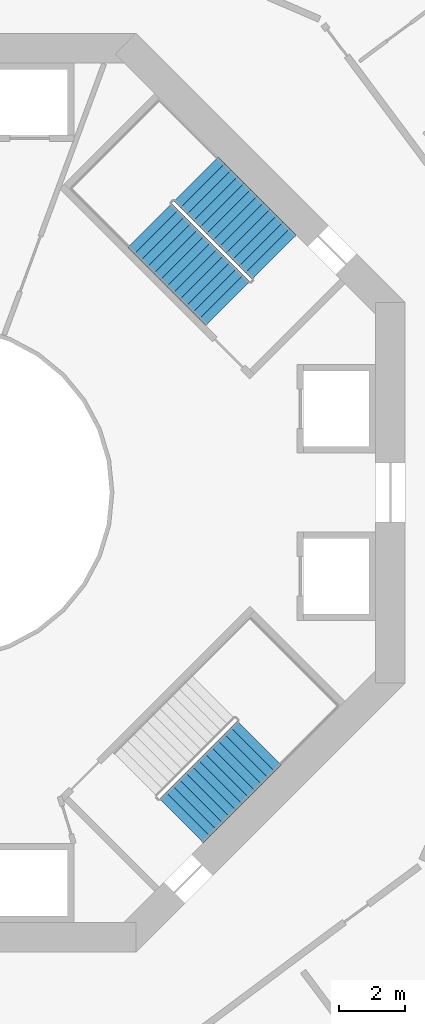
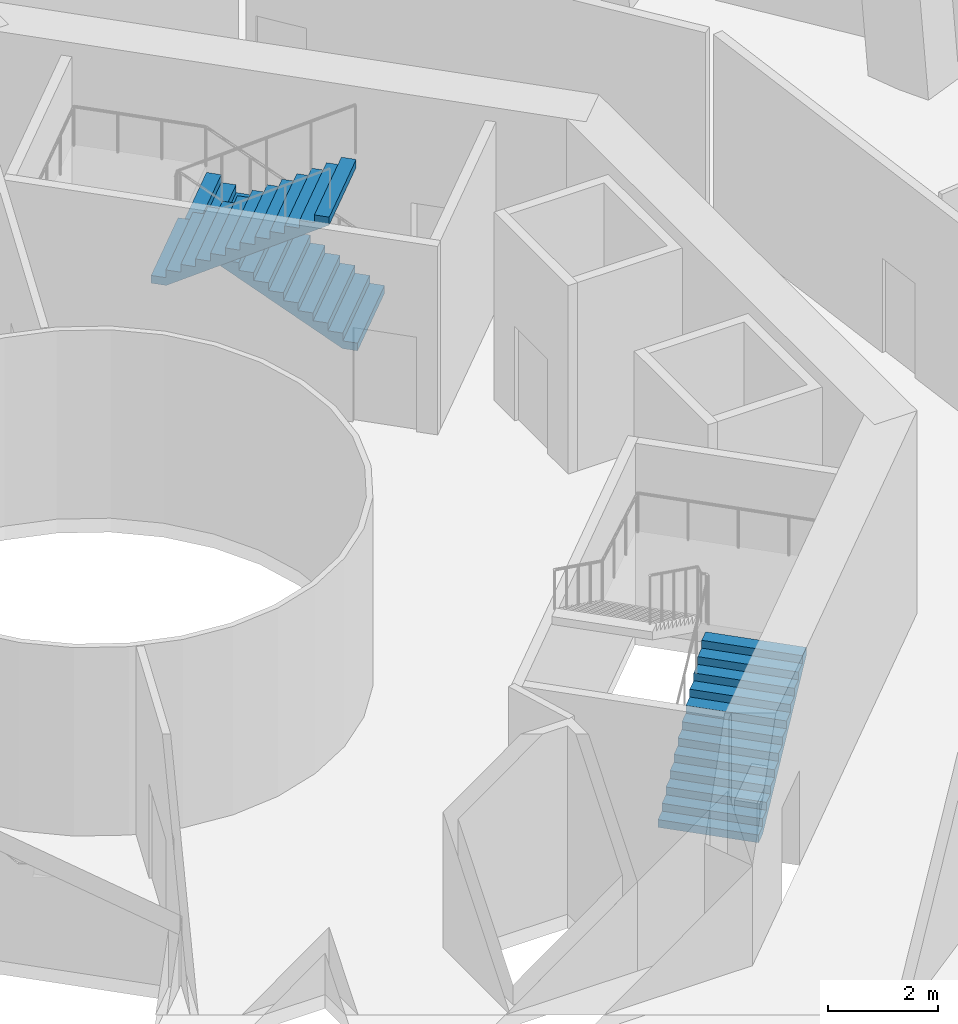
# One storey, part 16 of 17: 3 stair flights, 2 elements without a shape of their own.
"""IFC4 building model written with IfcOpenShell, lengths in metres."""

from ifc_helpers import new_model, si_unit, direction, frame, origin, place, context, subcontext, project, spatial, triangles, material, type_object, element, aggregate, save


model = new_model("IFC4")

# Units and contexts
model_context = context("Model", 3, precision=1e-05, world=origin(), true_north=direction((0.0, 1.0)))
body_context = subcontext(model_context, "Body", "Model", "MODEL_VIEW")
ifc_project = project(units=[si_unit("LENGTHUNIT", "METRE"), si_unit("AREAUNIT", "SQUARE_METRE"), si_unit("VOLUMEUNIT", "CUBIC_METRE"), si_unit("PLANEANGLEUNIT", "RADIAN"), si_unit("MASSUNIT", "GRAM", prefix="KILO")], contexts=[model_context])

# Site, building, storey
site_placement = place(None, origin())
site = spatial("IfcSite", under=ifc_project, at=site_placement, CompositionType="ELEMENT")
building_placement = place(site_placement, origin())
building = spatial("IfcBuilding", under=site, at=building_placement, Name="Verdalira Terraces Hotel", CompositionType="ELEMENT")
storey_placement = place(building_placement, frame((0.0, 0.0, 60.0)))
storey = spatial("IfcBuildingStorey", under=building, at=storey_placement, Name="L13", CompositionType="ELEMENT", Elevation=60.0)

# Stair, stair flights
ifc_material_1 = material(Name="Concrete C40", Category="concrete")
stair_type = type_object("IfcStairType", Name="Core stair 26 risers 1900 mm wide", PredefinedType="HALF_TURN_STAIR", material=ifc_material_1)
stair_1_placement = place(storey_placement, origin())
stair_1 = element("IfcStair", 1, at=stair_1_placement, inside=storey, type_object=stair_type, Name="L13 Exit stair ST1", PredefinedType="HALF_TURN_STAIR")
ifc_material_2 = material(Name="Concrete C40", Category="concrete")
stair_flight_type = type_object("IfcStairFlightType", Name="Core stair flight 26 risers 1900 mm wide", PredefinedType="STRAIGHT", material=ifc_material_2)
stair_flight_1_placement = place(storey_placement, frame((10.005615, 7.177246, 0.0), z_axis=(0.0, 0.0, 1.0), x_axis=(-0.707106781, 0.707106781, 0.0)))
stair_flight_1 = element("IfcStairFlight", 2, at=stair_flight_1_placement, type_object=stair_flight_type, Name="ST1 flight 1", NumberOfRisers=13, NumberOfTreads=12, PredefinedType="STRAIGHT", RiserHeight=0.173076923, TreadLength=0.28, context=body_context, shape_type="Tessellation", body=[
    triangles([(0.0, 0.949951, 0.0), (0.285156, 0.949951, 0.0), (3.360107, 0.949951, 1.900635), (0.0, -0.949951, 0.0), (0.285156, -0.949951, 0.0), (3.360107, -0.949951, 1.900635), (3.360107, 0.949951, 2.076904), (3.080078, 0.949951, 2.076904), (3.360107, -0.949951, 2.076904), (3.080078, -0.949951, 2.076904), (3.080078, 0.949951, 1.903809), (3.080078, -0.949951, 1.903809), (2.800049, 0.949951, 1.903809), (2.800049, -0.949951, 1.903809), (2.800049, 0.949951, 1.730713), (2.800049, -0.949951, 1.730713), (2.52002, 0.949951, 1.730713), (2.52002, 0.949951, 1.557617), (2.52002, -0.949951, 1.730713), (2.52002, -0.949951, 1.557617), (2.23999, 0.949951, 1.557617), (2.23999, 0.949951, 1.384521), (2.23999, -0.949951, 1.557617), (2.23999, -0.949951, 1.384521), (1.959961, 0.949951, 1.384521), (1.959961, 0.949951, 1.211426), (1.959961, -0.949951, 1.384521), (1.959961, -0.949951, 1.211426), (1.679932, 0.949951, 1.211426), (1.679932, 0.949951, 1.038574), (1.679932, -0.949951, 1.211426), (1.679932, -0.949951, 1.038574), (1.399902, 0.949951, 1.038574), (1.399902, 0.949951, 0.865479), (1.399902, -0.949951, 1.038574), (1.399902, -0.949951, 0.865479), (1.120117, 0.949951, 0.865479), (1.120117, 0.949951, 0.692383), (1.120117, -0.949951, 0.865479), (1.120117, -0.949951, 0.692383), (0.840088, 0.949951, 0.692383), (0.840088, 0.949951, 0.519287), (0.840088, -0.949951, 0.692383), (0.840088, -0.949951, 0.519287), (0.560059, 0.949951, 0.519287), (0.560059, 0.949951, 0.346191), (0.560059, -0.949951, 0.519287), (0.560059, -0.949951, 0.346191), (0.280029, 0.949951, 0.346191), (0.280029, 0.949951, 0.173096), (0.280029, -0.949951, 0.346191), (0.280029, -0.949951, 0.173096), (0.0, 0.949951, 0.173096), (0.0, -0.949951, 0.173096), (0.0, -0.890579, 0.0), (0.0, -0.890579, 0.173096), (0.0, -0.831207, 0.0), (0.0, -0.831207, 0.173096), (0.0, -0.771835, 0.0), (0.0, -0.771835, 0.173096), (0.0, -0.712463, 0.0), (0.0, -0.712463, 0.173096), (0.0, -0.653091, 0.0), (0.0, -0.653091, 0.173096), (0.0, -0.593719, 0.0), (0.0, -0.593719, 0.173096), (0.0, -0.534348, 0.0), (0.0, -0.534348, 0.173096), (0.0, -0.474976, 0.0), (0.0, -0.474976, 0.173096), (0.0, -0.415604, 0.0), (0.0, -0.415604, 0.173096), (0.0, -0.356232, 0.0), (0.0, -0.356232, 0.173096), (0.0, -0.29686, 0.0), (0.0, -0.29686, 0.173096), (0.0, -0.237488, 0.0), (0.0, -0.237488, 0.173096), (0.0, -0.178116, 0.0), (0.0, -0.178116, 0.173096), (0.0, -0.118744, 0.0), (0.0, -0.118744, 0.173096), (0.0, -0.059372, 0.0), (0.0, -0.059372, 0.173096), (0.0, 0.0, 0.0), (0.0, 0.0, 0.173096), (0.0, 0.059372, 0.0), (0.0, 0.059372, 0.173096), (0.0, 0.118744, 0.0), (0.0, 0.118744, 0.173096), (0.0, 0.178116, 0.0), (0.0, 0.178116, 0.173096), (0.0, 0.237488, 0.0), (0.0, 0.237488, 0.173096), (0.0, 0.29686, 0.0), (0.0, 0.29686, 0.173096), (0.0, 0.356232, 0.0), (0.0, 0.356232, 0.173096), (0.0, 0.415604, 0.0), (0.0, 0.415604, 0.173096), (0.0, 0.474976, 0.0), (0.0, 0.474976, 0.173096), (0.0, 0.534348, 0.0), (0.0, 0.534348, 0.173096), (0.0, 0.593719, 0.0), (0.0, 0.593719, 0.173096), (0.0, 0.653091, 0.0), (0.0, 0.653091, 0.173096), (0.0, 0.712463, 0.0), (0.0, 0.712463, 0.173096), (0.0, 0.771835, 0.0), (0.0, 0.771835, 0.173096), (0.0, 0.831207, 0.0), (0.0, 0.831207, 0.173096), (0.0, 0.890579, 0.0), (0.0, 0.890579, 0.173096), (3.360107, -0.890579, 2.076904), (3.360107, -0.831207, 2.076904), (3.360107, -0.771835, 2.076904), (3.360107, -0.712463, 2.076904), (3.360107, -0.653091, 2.076904), (3.360107, -0.593719, 2.076904), (3.360107, -0.534348, 2.076904), (3.360107, -0.474976, 2.076904), (3.360107, -0.415604, 2.076904), (3.360107, -0.356232, 2.076904), (3.360107, -0.29686, 2.076904), (3.360107, -0.237488, 2.076904), (3.360107, -0.178116, 2.076904), (3.360107, -0.118744, 2.076904), (3.360107, -0.059372, 2.076904), (3.360107, 0.0, 2.076904), (3.360107, 0.059372, 2.076904), (3.360107, 0.118744, 2.076904), (3.360107, 0.178116, 2.076904), (3.360107, 0.237488, 2.076904), (3.360107, 0.29686, 2.076904), (3.360107, 0.356232, 2.076904), (3.360107, 0.415604, 2.076904), (3.360107, 0.474976, 2.076904), (3.360107, 0.534348, 2.076904), (3.360107, 0.593719, 2.076904), (3.360107, 0.653091, 2.076904), (3.360107, 0.712463, 2.076904), (3.360107, 0.771835, 2.076904), (3.360107, 0.831207, 2.076904), (3.360107, 0.890579, 2.076904), (3.360107, -0.890579, 1.900635), (3.360107, -0.831207, 1.900635), (3.360107, -0.771835, 1.900635), (3.360107, -0.712463, 1.900635), (3.360107, -0.653091, 1.900635), (3.360107, -0.593719, 1.900635), (3.360107, -0.534348, 1.900635), (3.360107, -0.474976, 1.900635), (3.360107, -0.415604, 1.900635), (3.360107, -0.356232, 1.900635), (3.360107, -0.29686, 1.900635), (3.360107, -0.237488, 1.900635), (3.360107, -0.178116, 1.900635), (3.360107, -0.118744, 1.900635), (3.360107, -0.059372, 1.900635), (3.360107, 0.0, 1.900635), (3.360107, 0.059372, 1.900635), (3.360107, 0.118744, 1.900635), (3.360107, 0.178116, 1.900635), (3.360107, 0.237488, 1.900635), (3.360107, 0.29686, 1.900635), (3.360107, 0.356232, 1.900635), (3.360107, 0.415604, 1.900635), (3.360107, 0.474976, 1.900635), (3.360107, 0.534348, 1.900635), (3.360107, 0.593719, 1.900635), (3.360107, 0.653091, 1.900635), (3.360107, 0.712463, 1.900635), (3.360107, 0.771835, 1.900635), (3.360107, 0.831207, 1.900635), (3.360107, 0.890579, 1.900635)], [[1, 3, 2], [4, 5, 6], [3, 8, 7], [6, 9, 10], [3, 11, 8], [6, 10, 12], [3, 13, 11], [6, 12, 14], [3, 15, 13], [6, 14, 16], [15, 18, 17], [16, 19, 20], [3, 18, 15], [6, 16, 20], [18, 22, 21], [20, 23, 24], [3, 22, 18], [6, 20, 24], [22, 26, 25], [24, 27, 28], [3, 26, 22], [6, 24, 28], [1, 26, 3], [4, 6, 28], [26, 30, 29], [28, 31, 32], [30, 34, 33], [32, 35, 36], [26, 34, 30], [28, 32, 36], [34, 38, 37], [36, 39, 40], [26, 38, 34], [28, 36, 40], [38, 42, 41], [40, 43, 44], [26, 42, 38], [28, 40, 44], [42, 46, 45], [44, 47, 48], [26, 46, 42], [28, 44, 48], [46, 50, 49], [48, 51, 52], [26, 50, 46], [28, 48, 52], [1, 50, 26], [4, 28, 52], [50, 1, 53], [52, 54, 4], [4, 56, 55], [4, 54, 56], [55, 58, 57], [55, 56, 58], [57, 60, 59], [57, 58, 60], [59, 62, 61], [59, 60, 62], [61, 64, 63], [61, 62, 64], [63, 66, 65], [63, 64, 66], [65, 68, 67], [65, 66, 68], [67, 70, 69], [67, 68, 70], [69, 72, 71], [69, 70, 72], [71, 74, 73], [71, 72, 74], [73, 76, 75], [73, 74, 76], [75, 78, 77], [75, 76, 78], [77, 80, 79], [77, 78, 80], [79, 82, 81], [79, 80, 82], [81, 84, 83], [81, 82, 84], [83, 86, 85], [83, 84, 86], [85, 88, 87], [85, 86, 88], [87, 90, 89], [87, 88, 90], [89, 92, 91], [89, 90, 92], [91, 94, 93], [91, 92, 94], [93, 96, 95], [93, 94, 96], [95, 98, 97], [95, 96, 98], [97, 100, 99], [97, 98, 100], [99, 102, 101], [99, 100, 102], [101, 104, 103], [101, 102, 104], [103, 106, 105], [103, 104, 106], [105, 108, 107], [105, 106, 108], [107, 110, 109], [107, 108, 110], [109, 112, 111], [109, 110, 112], [111, 114, 113], [111, 112, 114], [113, 116, 115], [113, 114, 116], [115, 53, 1], [115, 116, 53], [54, 52, 56], [56, 52, 58], [58, 52, 60], [60, 52, 62], [62, 52, 64], [64, 52, 66], [66, 52, 68], [68, 52, 70], [70, 52, 72], [72, 52, 74], [74, 52, 76], [76, 52, 78], [78, 52, 80], [80, 52, 82], [82, 52, 84], [84, 52, 86], [86, 52, 88], [88, 52, 90], [90, 52, 92], [92, 52, 94], [94, 52, 96], [96, 52, 98], [98, 52, 100], [100, 52, 102], [102, 52, 104], [104, 52, 106], [106, 52, 108], [108, 52, 110], [110, 52, 112], [112, 52, 114], [114, 52, 116], [116, 52, 53], [53, 52, 50], [52, 49, 50], [52, 51, 49], [51, 46, 49], [51, 48, 46], [48, 45, 46], [48, 47, 45], [47, 42, 45], [47, 44, 42], [44, 41, 42], [44, 43, 41], [43, 38, 41], [43, 40, 38], [40, 37, 38], [40, 39, 37], [39, 34, 37], [39, 36, 34], [36, 33, 34], [36, 35, 33], [35, 30, 33], [35, 32, 30], [32, 29, 30], [32, 31, 29], [31, 26, 29], [31, 28, 26], [28, 25, 26], [28, 27, 25], [27, 22, 25], [27, 24, 22], [24, 21, 22], [24, 23, 21], [23, 18, 21], [23, 20, 18], [20, 17, 18], [20, 19, 17], [19, 15, 17], [19, 16, 15], [16, 13, 15], [16, 14, 13], [14, 11, 13], [14, 12, 11], [12, 8, 11], [12, 10, 8], [9, 117, 10], [117, 118, 10], [118, 119, 10], [119, 120, 10], [120, 121, 10], [121, 122, 10], [122, 123, 10], [123, 124, 10], [124, 125, 10], [125, 126, 10], [126, 127, 10], [127, 128, 10], [128, 129, 10], [129, 130, 10], [130, 131, 10], [131, 132, 10], [132, 133, 10], [133, 134, 10], [134, 135, 10], [135, 136, 10], [136, 137, 10], [137, 138, 10], [138, 139, 10], [139, 140, 10], [140, 141, 10], [141, 142, 10], [142, 143, 10], [143, 144, 10], [144, 145, 10], [145, 146, 10], [146, 147, 10], [147, 7, 10], [7, 8, 10], [9, 148, 117], [9, 6, 148], [117, 149, 118], [117, 148, 149], [118, 150, 119], [118, 149, 150], [119, 151, 120], [119, 150, 151], [120, 152, 121], [120, 151, 152], [121, 153, 122], [121, 152, 153], [122, 154, 123], [122, 153, 154], [123, 155, 124], [123, 154, 155], [124, 156, 125], [124, 155, 156], [125, 157, 126], [125, 156, 157], [126, 158, 127], [126, 157, 158], [127, 159, 128], [127, 158, 159], [128, 160, 129], [128, 159, 160], [129, 161, 130], [129, 160, 161], [130, 162, 131], [130, 161, 162], [131, 163, 132], [131, 162, 163], [132, 164, 133], [132, 163, 164], [133, 165, 134], [133, 164, 165], [134, 166, 135], [134, 165, 166], [135, 167, 136], [135, 166, 167], [136, 168, 137], [136, 167, 168], [137, 169, 138], [137, 168, 169], [138, 170, 139], [138, 169, 170], [139, 171, 140], [139, 170, 171], [140, 172, 141], [140, 171, 172], [141, 173, 142], [141, 172, 173], [142, 174, 143], [142, 173, 174], [143, 175, 144], [143, 174, 175], [144, 176, 145], [144, 175, 176], [145, 177, 146], [145, 176, 177], [146, 178, 147], [146, 177, 178], [147, 3, 7], [147, 178, 3], [6, 5, 148], [148, 5, 149], [149, 5, 150], [150, 5, 151], [151, 5, 152], [152, 5, 153], [153, 5, 154], [154, 5, 155], [155, 5, 156], [156, 5, 157], [157, 5, 158], [158, 5, 159], [159, 5, 160], [160, 5, 161], [161, 5, 162], [162, 5, 163], [163, 5, 164], [164, 5, 165], [165, 5, 166], [166, 5, 167], [167, 5, 168], [168, 5, 169], [169, 5, 170], [170, 5, 171], [171, 5, 172], [172, 5, 173], [173, 5, 174], [174, 5, 175], [175, 5, 176], [176, 5, 177], [177, 5, 178], [178, 5, 3], [3, 5, 2], [4, 55, 5], [55, 57, 5], [57, 59, 5], [59, 61, 5], [61, 63, 5], [63, 65, 5], [65, 67, 5], [67, 69, 5], [69, 71, 5], [71, 73, 5], [73, 75, 5], [75, 77, 5], [77, 79, 5], [79, 81, 5], [81, 83, 5], [83, 85, 5], [85, 87, 5], [87, 89, 5], [89, 91, 5], [91, 93, 5], [93, 95, 5], [95, 97, 5], [97, 99, 5], [99, 101, 5], [101, 103, 5], [103, 105, 5], [105, 107, 5], [107, 109, 5], [109, 111, 5], [111, 113, 5], [113, 115, 5], [115, 1, 5], [1, 2, 5]], closed=True),
])
stair_flight_2_placement = place(storey_placement, frame((6.215576, 8.138916, 2.25), z_axis=(0.0, 0.0, 1.0), x_axis=(0.707106781, -0.707106781, 0.0)))
stair_flight_2 = element("IfcStairFlight", 3, at=stair_flight_2_placement, type_object=stair_flight_type, Name="ST1 flight 2", NumberOfRisers=13, NumberOfTreads=12, PredefinedType="STRAIGHT", RiserHeight=0.173076923, TreadLength=0.28, context=body_context, shape_type="Tessellation", body=[
    triangles([(0.0, 0.949951, 0.0), (0.285156, 0.949951, 0.0), (3.360107, 0.949951, 1.900635), (0.0, -0.949951, 0.0), (0.285156, -0.949951, 0.0), (3.360107, -0.949951, 1.900635), (3.360107, 0.949951, 2.076904), (3.080078, 0.949951, 2.076904), (3.360107, -0.949951, 2.076904), (3.080078, -0.949951, 2.076904), (3.080078, 0.949951, 1.903809), (3.080078, -0.949951, 1.903809), (2.800049, 0.949951, 1.903809), (2.800049, -0.949951, 1.903809), (2.800049, 0.949951, 1.730713), (2.800049, -0.949951, 1.730713), (2.52002, 0.949951, 1.730713), (2.52002, 0.949951, 1.557617), (2.52002, -0.949951, 1.730713), (2.52002, -0.949951, 1.557617), (2.23999, 0.949951, 1.557617), (2.23999, 0.949951, 1.384521), (2.23999, -0.949951, 1.557617), (2.23999, -0.949951, 1.384521), (1.959961, 0.949951, 1.384521), (1.959961, 0.949951, 1.211426), (1.959961, -0.949951, 1.384521), (1.959961, -0.949951, 1.211426), (1.679932, 0.949951, 1.211426), (1.679932, 0.949951, 1.038574), (1.679932, -0.949951, 1.211426), (1.679932, -0.949951, 1.038574), (1.399902, 0.949951, 1.038574), (1.399902, 0.949951, 0.865479), (1.399902, -0.949951, 1.038574), (1.399902, -0.949951, 0.865479), (1.120117, 0.949951, 0.865479), (1.120117, 0.949951, 0.692383), (1.120117, -0.949951, 0.865479), (1.120117, -0.949951, 0.692383), (0.840088, 0.949951, 0.692383), (0.840088, 0.949951, 0.519287), (0.840088, -0.949951, 0.692383), (0.840088, -0.949951, 0.519287), (0.560059, 0.949951, 0.519287), (0.560059, 0.949951, 0.346191), (0.560059, -0.949951, 0.519287), (0.560059, -0.949951, 0.346191), (0.280029, 0.949951, 0.346191), (0.280029, 0.949951, 0.173096), (0.280029, -0.949951, 0.346191), (0.280029, -0.949951, 0.173096), (0.0, 0.949951, 0.173096), (0.0, -0.949951, 0.173096), (0.0, -0.890579, 0.0), (0.0, -0.890579, 0.173096), (0.0, -0.831207, 0.0), (0.0, -0.831207, 0.173096), (0.0, -0.771835, 0.0), (0.0, -0.771835, 0.173096), (0.0, -0.712463, 0.0), (0.0, -0.712463, 0.173096), (0.0, -0.653091, 0.0), (0.0, -0.653091, 0.173096), (0.0, -0.593719, 0.0), (0.0, -0.593719, 0.173096), (0.0, -0.534348, 0.0), (0.0, -0.534348, 0.173096), (0.0, -0.474976, 0.0), (0.0, -0.474976, 0.173096), (0.0, -0.415604, 0.0), (0.0, -0.415604, 0.173096), (0.0, -0.356232, 0.0), (0.0, -0.356232, 0.173096), (0.0, -0.29686, 0.0), (0.0, -0.29686, 0.173096), (0.0, -0.237488, 0.0), (0.0, -0.237488, 0.173096), (0.0, -0.178116, 0.0), (0.0, -0.178116, 0.173096), (0.0, -0.118744, 0.0), (0.0, -0.118744, 0.173096), (0.0, -0.059372, 0.0), (0.0, -0.059372, 0.173096), (0.0, 0.0, 0.0), (0.0, 0.0, 0.173096), (0.0, 0.059372, 0.0), (0.0, 0.059372, 0.173096), (0.0, 0.118744, 0.0), (0.0, 0.118744, 0.173096), (0.0, 0.178116, 0.0), (0.0, 0.178116, 0.173096), (0.0, 0.237488, 0.0), (0.0, 0.237488, 0.173096), (0.0, 0.29686, 0.0), (0.0, 0.29686, 0.173096), (0.0, 0.356232, 0.0), (0.0, 0.356232, 0.173096), (0.0, 0.415604, 0.0), (0.0, 0.415604, 0.173096), (0.0, 0.474976, 0.0), (0.0, 0.474976, 0.173096), (0.0, 0.534348, 0.0), (0.0, 0.534348, 0.173096), (0.0, 0.593719, 0.0), (0.0, 0.593719, 0.173096), (0.0, 0.653091, 0.0), (0.0, 0.653091, 0.173096), (0.0, 0.712463, 0.0), (0.0, 0.712463, 0.173096), (0.0, 0.771835, 0.0), (0.0, 0.771835, 0.173096), (0.0, 0.831207, 0.0), (0.0, 0.831207, 0.173096), (0.0, 0.890579, 0.0), (0.0, 0.890579, 0.173096), (3.360107, -0.890579, 2.076904), (3.360107, -0.831207, 2.076904), (3.360107, -0.771835, 2.076904), (3.360107, -0.712463, 2.076904), (3.360107, -0.653091, 2.076904), (3.360107, -0.593719, 2.076904), (3.360107, -0.534348, 2.076904), (3.360107, -0.474976, 2.076904), (3.360107, -0.415604, 2.076904), (3.360107, -0.356232, 2.076904), (3.360107, -0.29686, 2.076904), (3.360107, -0.237488, 2.076904), (3.360107, -0.178116, 2.076904), (3.360107, -0.118744, 2.076904), (3.360107, -0.059372, 2.076904), (3.360107, 0.0, 2.076904), (3.360107, 0.059372, 2.076904), (3.360107, 0.118744, 2.076904), (3.360107, 0.178116, 2.076904), (3.360107, 0.237488, 2.076904), (3.360107, 0.29686, 2.076904), (3.360107, 0.356232, 2.076904), (3.360107, 0.415604, 2.076904), (3.360107, 0.474976, 2.076904), (3.360107, 0.534348, 2.076904), (3.360107, 0.593719, 2.076904), (3.360107, 0.653091, 2.076904), (3.360107, 0.712463, 2.076904), (3.360107, 0.771835, 2.076904), (3.360107, 0.831207, 2.076904), (3.360107, 0.890579, 2.076904), (3.360107, -0.890579, 1.900635), (3.360107, -0.831207, 1.900635), (3.360107, -0.771835, 1.900635), (3.360107, -0.712463, 1.900635), (3.360107, -0.653091, 1.900635), (3.360107, -0.593719, 1.900635), (3.360107, -0.534348, 1.900635), (3.360107, -0.474976, 1.900635), (3.360107, -0.415604, 1.900635), (3.360107, -0.356232, 1.900635), (3.360107, -0.29686, 1.900635), (3.360107, -0.237488, 1.900635), (3.360107, -0.178116, 1.900635), (3.360107, -0.118744, 1.900635), (3.360107, -0.059372, 1.900635), (3.360107, 0.0, 1.900635), (3.360107, 0.059372, 1.900635), (3.360107, 0.118744, 1.900635), (3.360107, 0.178116, 1.900635), (3.360107, 0.237488, 1.900635), (3.360107, 0.29686, 1.900635), (3.360107, 0.356232, 1.900635), (3.360107, 0.415604, 1.900635), (3.360107, 0.474976, 1.900635), (3.360107, 0.534348, 1.900635), (3.360107, 0.593719, 1.900635), (3.360107, 0.653091, 1.900635), (3.360107, 0.712463, 1.900635), (3.360107, 0.771835, 1.900635), (3.360107, 0.831207, 1.900635), (3.360107, 0.890579, 1.900635)], [[1, 3, 2], [4, 5, 6], [3, 8, 7], [6, 9, 10], [3, 11, 8], [6, 10, 12], [3, 13, 11], [6, 12, 14], [3, 15, 13], [6, 14, 16], [15, 18, 17], [16, 19, 20], [3, 18, 15], [6, 16, 20], [18, 22, 21], [20, 23, 24], [3, 22, 18], [6, 20, 24], [22, 26, 25], [24, 27, 28], [3, 26, 22], [6, 24, 28], [1, 26, 3], [4, 6, 28], [26, 30, 29], [28, 31, 32], [30, 34, 33], [32, 35, 36], [26, 34, 30], [28, 32, 36], [34, 38, 37], [36, 39, 40], [26, 38, 34], [28, 36, 40], [38, 42, 41], [40, 43, 44], [26, 42, 38], [28, 40, 44], [42, 46, 45], [44, 47, 48], [26, 46, 42], [28, 44, 48], [46, 50, 49], [48, 51, 52], [26, 50, 46], [28, 48, 52], [1, 50, 26], [4, 28, 52], [50, 1, 53], [52, 54, 4], [4, 56, 55], [4, 54, 56], [55, 58, 57], [55, 56, 58], [57, 60, 59], [57, 58, 60], [59, 62, 61], [59, 60, 62], [61, 64, 63], [61, 62, 64], [63, 66, 65], [63, 64, 66], [65, 68, 67], [65, 66, 68], [67, 70, 69], [67, 68, 70], [69, 72, 71], [69, 70, 72], [71, 74, 73], [71, 72, 74], [73, 76, 75], [73, 74, 76], [75, 78, 77], [75, 76, 78], [77, 80, 79], [77, 78, 80], [79, 82, 81], [79, 80, 82], [81, 84, 83], [81, 82, 84], [83, 86, 85], [83, 84, 86], [85, 88, 87], [85, 86, 88], [87, 90, 89], [87, 88, 90], [89, 92, 91], [89, 90, 92], [91, 94, 93], [91, 92, 94], [93, 96, 95], [93, 94, 96], [95, 98, 97], [95, 96, 98], [97, 100, 99], [97, 98, 100], [99, 102, 101], [99, 100, 102], [101, 104, 103], [101, 102, 104], [103, 106, 105], [103, 104, 106], [105, 108, 107], [105, 106, 108], [107, 110, 109], [107, 108, 110], [109, 112, 111], [109, 110, 112], [111, 114, 113], [111, 112, 114], [113, 116, 115], [113, 114, 116], [115, 53, 1], [115, 116, 53], [54, 52, 56], [56, 52, 58], [58, 52, 60], [60, 52, 62], [62, 52, 64], [64, 52, 66], [66, 52, 68], [68, 52, 70], [70, 52, 72], [72, 52, 74], [74, 52, 76], [76, 52, 78], [78, 52, 80], [80, 52, 82], [82, 52, 84], [84, 52, 86], [86, 52, 88], [88, 52, 90], [90, 52, 92], [92, 52, 94], [94, 52, 96], [96, 52, 98], [98, 52, 100], [100, 52, 102], [102, 52, 104], [104, 52, 106], [106, 52, 108], [108, 52, 110], [110, 52, 112], [112, 52, 114], [114, 52, 116], [116, 52, 53], [53, 52, 50], [52, 49, 50], [52, 51, 49], [51, 46, 49], [51, 48, 46], [48, 45, 46], [48, 47, 45], [47, 42, 45], [47, 44, 42], [44, 41, 42], [44, 43, 41], [43, 38, 41], [43, 40, 38], [40, 37, 38], [40, 39, 37], [39, 34, 37], [39, 36, 34], [36, 33, 34], [36, 35, 33], [35, 30, 33], [35, 32, 30], [32, 29, 30], [32, 31, 29], [31, 26, 29], [31, 28, 26], [28, 25, 26], [28, 27, 25], [27, 22, 25], [27, 24, 22], [24, 21, 22], [24, 23, 21], [23, 18, 21], [23, 20, 18], [20, 17, 18], [20, 19, 17], [19, 15, 17], [19, 16, 15], [16, 13, 15], [16, 14, 13], [14, 11, 13], [14, 12, 11], [12, 8, 11], [12, 10, 8], [9, 117, 10], [117, 118, 10], [118, 119, 10], [119, 120, 10], [120, 121, 10], [121, 122, 10], [122, 123, 10], [123, 124, 10], [124, 125, 10], [125, 126, 10], [126, 127, 10], [127, 128, 10], [128, 129, 10], [129, 130, 10], [130, 131, 10], [131, 132, 10], [132, 133, 10], [133, 134, 10], [134, 135, 10], [135, 136, 10], [136, 137, 10], [137, 138, 10], [138, 139, 10], [139, 140, 10], [140, 141, 10], [141, 142, 10], [142, 143, 10], [143, 144, 10], [144, 145, 10], [145, 146, 10], [146, 147, 10], [147, 7, 10], [7, 8, 10], [9, 148, 117], [9, 6, 148], [117, 149, 118], [117, 148, 149], [118, 150, 119], [118, 149, 150], [119, 151, 120], [119, 150, 151], [120, 152, 121], [120, 151, 152], [121, 153, 122], [121, 152, 153], [122, 154, 123], [122, 153, 154], [123, 155, 124], [123, 154, 155], [124, 156, 125], [124, 155, 156], [125, 157, 126], [125, 156, 157], [126, 158, 127], [126, 157, 158], [127, 159, 128], [127, 158, 159], [128, 160, 129], [128, 159, 160], [129, 161, 130], [129, 160, 161], [130, 162, 131], [130, 161, 162], [131, 163, 132], [131, 162, 163], [132, 164, 133], [132, 163, 164], [133, 165, 134], [133, 164, 165], [134, 166, 135], [134, 165, 166], [135, 167, 136], [135, 166, 167], [136, 168, 137], [136, 167, 168], [137, 169, 138], [137, 168, 169], [138, 170, 139], [138, 169, 170], [139, 171, 140], [139, 170, 171], [140, 172, 141], [140, 171, 172], [141, 173, 142], [141, 172, 173], [142, 174, 143], [142, 173, 174], [143, 175, 144], [143, 174, 175], [144, 176, 145], [144, 175, 176], [145, 177, 146], [145, 176, 177], [146, 178, 147], [146, 177, 178], [147, 3, 7], [147, 178, 3], [6, 5, 148], [148, 5, 149], [149, 5, 150], [150, 5, 151], [151, 5, 152], [152, 5, 153], [153, 5, 154], [154, 5, 155], [155, 5, 156], [156, 5, 157], [157, 5, 158], [158, 5, 159], [159, 5, 160], [160, 5, 161], [161, 5, 162], [162, 5, 163], [163, 5, 164], [164, 5, 165], [165, 5, 166], [166, 5, 167], [167, 5, 168], [168, 5, 169], [169, 5, 170], [170, 5, 171], [171, 5, 172], [172, 5, 173], [173, 5, 174], [174, 5, 175], [175, 5, 176], [176, 5, 177], [177, 5, 178], [178, 5, 3], [3, 5, 2], [4, 55, 5], [55, 57, 5], [57, 59, 5], [59, 61, 5], [61, 63, 5], [63, 65, 5], [65, 67, 5], [67, 69, 5], [69, 71, 5], [71, 73, 5], [73, 75, 5], [75, 77, 5], [77, 79, 5], [79, 81, 5], [81, 83, 5], [83, 85, 5], [85, 87, 5], [87, 89, 5], [89, 91, 5], [91, 93, 5], [93, 95, 5], [95, 97, 5], [97, 99, 5], [99, 101, 5], [101, 103, 5], [103, 105, 5], [105, 107, 5], [107, 109, 5], [109, 111, 5], [111, 113, 5], [113, 115, 5], [115, 1, 5], [1, 2, 5]], closed=True),
])
aggregate(stair_1, [stair_flight_1, stair_flight_2])

# Stair, stair flight
stair_2_placement = place(storey_placement, origin())
stair_2 = element("IfcStair", 4, at=stair_2_placement, inside=storey, type_object=stair_type, Name="L13 Exit stair ST3", PredefinedType="HALF_TURN_STAIR")
stair_flight_3_placement = place(storey_placement, frame((7.177246, -10.005615, 0.0), z_axis=(0.0, 0.0, 1.0), x_axis=(0.707106781, 0.707106781, 0.0)))
stair_flight_3 = element("IfcStairFlight", 5, at=stair_flight_3_placement, type_object=stair_flight_type, Name="ST3 flight 1", NumberOfRisers=13, NumberOfTreads=12, PredefinedType="STRAIGHT", RiserHeight=0.173076923, TreadLength=0.28, context=body_context, shape_type="Tessellation", body=[
    triangles([(0.0, 0.949951, 0.0), (0.285156, 0.949951, 0.0), (3.360107, 0.949951, 1.900635), (0.0, -0.949951, 0.0), (0.285156, -0.949951, 0.0), (3.360107, -0.949951, 1.900635), (3.360107, 0.949951, 2.076904), (3.080078, 0.949951, 2.076904), (3.360107, -0.949951, 2.076904), (3.080078, -0.949951, 2.076904), (3.080078, 0.949951, 1.903809), (3.080078, -0.949951, 1.903809), (2.800049, 0.949951, 1.903809), (2.800049, -0.949951, 1.903809), (2.800049, 0.949951, 1.730713), (2.800049, -0.949951, 1.730713), (2.52002, 0.949951, 1.730713), (2.52002, 0.949951, 1.557617), (2.52002, -0.949951, 1.730713), (2.52002, -0.949951, 1.557617), (2.23999, 0.949951, 1.557617), (2.23999, 0.949951, 1.384521), (2.23999, -0.949951, 1.557617), (2.23999, -0.949951, 1.384521), (1.959961, 0.949951, 1.384521), (1.959961, 0.949951, 1.211426), (1.959961, -0.949951, 1.384521), (1.959961, -0.949951, 1.211426), (1.679932, 0.949951, 1.211426), (1.679932, 0.949951, 1.038574), (1.679932, -0.949951, 1.211426), (1.679932, -0.949951, 1.038574), (1.399902, 0.949951, 1.038574), (1.399902, 0.949951, 0.865479), (1.399902, -0.949951, 1.038574), (1.399902, -0.949951, 0.865479), (1.120117, 0.949951, 0.865479), (1.120117, 0.949951, 0.692383), (1.120117, -0.949951, 0.865479), (1.120117, -0.949951, 0.692383), (0.840088, 0.949951, 0.692383), (0.840088, 0.949951, 0.519287), (0.840088, -0.949951, 0.692383), (0.840088, -0.949951, 0.519287), (0.560059, 0.949951, 0.519287), (0.560059, 0.949951, 0.346191), (0.560059, -0.949951, 0.519287), (0.560059, -0.949951, 0.346191), (0.280029, 0.949951, 0.346191), (0.280029, 0.949951, 0.173096), (0.280029, -0.949951, 0.346191), (0.280029, -0.949951, 0.173096), (0.0, 0.949951, 0.173096), (0.0, -0.949951, 0.173096), (0.0, -0.890579, 0.0), (0.0, -0.890579, 0.173096), (0.0, -0.831207, 0.0), (0.0, -0.831207, 0.173096), (0.0, -0.771835, 0.0), (0.0, -0.771835, 0.173096), (0.0, -0.712463, 0.0), (0.0, -0.712463, 0.173096), (0.0, -0.653091, 0.0), (0.0, -0.653091, 0.173096), (0.0, -0.593719, 0.0), (0.0, -0.593719, 0.173096), (0.0, -0.534348, 0.0), (0.0, -0.534348, 0.173096), (0.0, -0.474976, 0.0), (0.0, -0.474976, 0.173096), (0.0, -0.415604, 0.0), (0.0, -0.415604, 0.173096), (0.0, -0.356232, 0.0), (0.0, -0.356232, 0.173096), (0.0, -0.29686, 0.0), (0.0, -0.29686, 0.173096), (0.0, -0.237488, 0.0), (0.0, -0.237488, 0.173096), (0.0, -0.178116, 0.0), (0.0, -0.178116, 0.173096), (0.0, -0.118744, 0.0), (0.0, -0.118744, 0.173096), (0.0, -0.059372, 0.0), (0.0, -0.059372, 0.173096), (0.0, 0.0, 0.0), (0.0, 0.0, 0.173096), (0.0, 0.059372, 0.0), (0.0, 0.059372, 0.173096), (0.0, 0.118744, 0.0), (0.0, 0.118744, 0.173096), (0.0, 0.178116, 0.0), (0.0, 0.178116, 0.173096), (0.0, 0.237488, 0.0), (0.0, 0.237488, 0.173096), (0.0, 0.29686, 0.0), (0.0, 0.29686, 0.173096), (0.0, 0.356232, 0.0), (0.0, 0.356232, 0.173096), (0.0, 0.415604, 0.0), (0.0, 0.415604, 0.173096), (0.0, 0.474976, 0.0), (0.0, 0.474976, 0.173096), (0.0, 0.534348, 0.0), (0.0, 0.534348, 0.173096), (0.0, 0.593719, 0.0), (0.0, 0.593719, 0.173096), (0.0, 0.653091, 0.0), (0.0, 0.653091, 0.173096), (0.0, 0.712463, 0.0), (0.0, 0.712463, 0.173096), (0.0, 0.771835, 0.0), (0.0, 0.771835, 0.173096), (0.0, 0.831207, 0.0), (0.0, 0.831207, 0.173096), (0.0, 0.890579, 0.0), (0.0, 0.890579, 0.173096), (3.360107, -0.890579, 2.076904), (3.360107, -0.831207, 2.076904), (3.360107, -0.771835, 2.076904), (3.360107, -0.712463, 2.076904), (3.360107, -0.653091, 2.076904), (3.360107, -0.593719, 2.076904), (3.360107, -0.534348, 2.076904), (3.360107, -0.474976, 2.076904), (3.360107, -0.415604, 2.076904), (3.360107, -0.356232, 2.076904), (3.360107, -0.29686, 2.076904), (3.360107, -0.237488, 2.076904), (3.360107, -0.178116, 2.076904), (3.360107, -0.118744, 2.076904), (3.360107, -0.059372, 2.076904), (3.360107, 0.0, 2.076904), (3.360107, 0.059372, 2.076904), (3.360107, 0.118744, 2.076904), (3.360107, 0.178116, 2.076904), (3.360107, 0.237488, 2.076904), (3.360107, 0.29686, 2.076904), (3.360107, 0.356232, 2.076904), (3.360107, 0.415604, 2.076904), (3.360107, 0.474976, 2.076904), (3.360107, 0.534348, 2.076904), (3.360107, 0.593719, 2.076904), (3.360107, 0.653091, 2.076904), (3.360107, 0.712463, 2.076904), (3.360107, 0.771835, 2.076904), (3.360107, 0.831207, 2.076904), (3.360107, 0.890579, 2.076904), (3.360107, -0.890579, 1.900635), (3.360107, -0.831207, 1.900635), (3.360107, -0.771835, 1.900635), (3.360107, -0.712463, 1.900635), (3.360107, -0.653091, 1.900635), (3.360107, -0.593719, 1.900635), (3.360107, -0.534348, 1.900635), (3.360107, -0.474976, 1.900635), (3.360107, -0.415604, 1.900635), (3.360107, -0.356232, 1.900635), (3.360107, -0.29686, 1.900635), (3.360107, -0.237488, 1.900635), (3.360107, -0.178116, 1.900635), (3.360107, -0.118744, 1.900635), (3.360107, -0.059372, 1.900635), (3.360107, 0.0, 1.900635), (3.360107, 0.059372, 1.900635), (3.360107, 0.118744, 1.900635), (3.360107, 0.178116, 1.900635), (3.360107, 0.237488, 1.900635), (3.360107, 0.29686, 1.900635), (3.360107, 0.356232, 1.900635), (3.360107, 0.415604, 1.900635), (3.360107, 0.474976, 1.900635), (3.360107, 0.534348, 1.900635), (3.360107, 0.593719, 1.900635), (3.360107, 0.653091, 1.900635), (3.360107, 0.712463, 1.900635), (3.360107, 0.771835, 1.900635), (3.360107, 0.831207, 1.900635), (3.360107, 0.890579, 1.900635)], [[1, 3, 2], [4, 5, 6], [3, 8, 7], [6, 9, 10], [3, 11, 8], [6, 10, 12], [3, 13, 11], [6, 12, 14], [3, 15, 13], [6, 14, 16], [15, 18, 17], [16, 19, 20], [3, 18, 15], [6, 16, 20], [18, 22, 21], [20, 23, 24], [3, 22, 18], [6, 20, 24], [22, 26, 25], [24, 27, 28], [3, 26, 22], [6, 24, 28], [1, 26, 3], [4, 6, 28], [26, 30, 29], [28, 31, 32], [30, 34, 33], [32, 35, 36], [26, 34, 30], [28, 32, 36], [34, 38, 37], [36, 39, 40], [26, 38, 34], [28, 36, 40], [38, 42, 41], [40, 43, 44], [26, 42, 38], [28, 40, 44], [42, 46, 45], [44, 47, 48], [26, 46, 42], [28, 44, 48], [46, 50, 49], [48, 51, 52], [26, 50, 46], [28, 48, 52], [1, 50, 26], [4, 28, 52], [50, 1, 53], [52, 54, 4], [4, 56, 55], [4, 54, 56], [55, 58, 57], [55, 56, 58], [57, 60, 59], [57, 58, 60], [59, 62, 61], [59, 60, 62], [61, 64, 63], [61, 62, 64], [63, 66, 65], [63, 64, 66], [65, 68, 67], [65, 66, 68], [67, 70, 69], [67, 68, 70], [69, 72, 71], [69, 70, 72], [71, 74, 73], [71, 72, 74], [73, 76, 75], [73, 74, 76], [75, 78, 77], [75, 76, 78], [77, 80, 79], [77, 78, 80], [79, 82, 81], [79, 80, 82], [81, 84, 83], [81, 82, 84], [83, 86, 85], [83, 84, 86], [85, 88, 87], [85, 86, 88], [87, 90, 89], [87, 88, 90], [89, 92, 91], [89, 90, 92], [91, 94, 93], [91, 92, 94], [93, 96, 95], [93, 94, 96], [95, 98, 97], [95, 96, 98], [97, 100, 99], [97, 98, 100], [99, 102, 101], [99, 100, 102], [101, 104, 103], [101, 102, 104], [103, 106, 105], [103, 104, 106], [105, 108, 107], [105, 106, 108], [107, 110, 109], [107, 108, 110], [109, 112, 111], [109, 110, 112], [111, 114, 113], [111, 112, 114], [113, 116, 115], [113, 114, 116], [115, 53, 1], [115, 116, 53], [54, 52, 56], [56, 52, 58], [58, 52, 60], [60, 52, 62], [62, 52, 64], [64, 52, 66], [66, 52, 68], [68, 52, 70], [70, 52, 72], [72, 52, 74], [74, 52, 76], [76, 52, 78], [78, 52, 80], [80, 52, 82], [82, 52, 84], [84, 52, 86], [86, 52, 88], [88, 52, 90], [90, 52, 92], [92, 52, 94], [94, 52, 96], [96, 52, 98], [98, 52, 100], [100, 52, 102], [102, 52, 104], [104, 52, 106], [106, 52, 108], [108, 52, 110], [110, 52, 112], [112, 52, 114], [114, 52, 116], [116, 52, 53], [53, 52, 50], [52, 49, 50], [52, 51, 49], [51, 46, 49], [51, 48, 46], [48, 45, 46], [48, 47, 45], [47, 42, 45], [47, 44, 42], [44, 41, 42], [44, 43, 41], [43, 38, 41], [43, 40, 38], [40, 37, 38], [40, 39, 37], [39, 34, 37], [39, 36, 34], [36, 33, 34], [36, 35, 33], [35, 30, 33], [35, 32, 30], [32, 29, 30], [32, 31, 29], [31, 26, 29], [31, 28, 26], [28, 25, 26], [28, 27, 25], [27, 22, 25], [27, 24, 22], [24, 21, 22], [24, 23, 21], [23, 18, 21], [23, 20, 18], [20, 17, 18], [20, 19, 17], [19, 15, 17], [19, 16, 15], [16, 13, 15], [16, 14, 13], [14, 11, 13], [14, 12, 11], [12, 8, 11], [12, 10, 8], [9, 117, 10], [117, 118, 10], [118, 119, 10], [119, 120, 10], [120, 121, 10], [121, 122, 10], [122, 123, 10], [123, 124, 10], [124, 125, 10], [125, 126, 10], [126, 127, 10], [127, 128, 10], [128, 129, 10], [129, 130, 10], [130, 131, 10], [131, 132, 10], [132, 133, 10], [133, 134, 10], [134, 135, 10], [135, 136, 10], [136, 137, 10], [137, 138, 10], [138, 139, 10], [139, 140, 10], [140, 141, 10], [141, 142, 10], [142, 143, 10], [143, 144, 10], [144, 145, 10], [145, 146, 10], [146, 147, 10], [147, 7, 10], [7, 8, 10], [9, 148, 117], [9, 6, 148], [117, 149, 118], [117, 148, 149], [118, 150, 119], [118, 149, 150], [119, 151, 120], [119, 150, 151], [120, 152, 121], [120, 151, 152], [121, 153, 122], [121, 152, 153], [122, 154, 123], [122, 153, 154], [123, 155, 124], [123, 154, 155], [124, 156, 125], [124, 155, 156], [125, 157, 126], [125, 156, 157], [126, 158, 127], [126, 157, 158], [127, 159, 128], [127, 158, 159], [128, 160, 129], [128, 159, 160], [129, 161, 130], [129, 160, 161], [130, 162, 131], [130, 161, 162], [131, 163, 132], [131, 162, 163], [132, 164, 133], [132, 163, 164], [133, 165, 134], [133, 164, 165], [134, 166, 135], [134, 165, 166], [135, 167, 136], [135, 166, 167], [136, 168, 137], [136, 167, 168], [137, 169, 138], [137, 168, 169], [138, 170, 139], [138, 169, 170], [139, 171, 140], [139, 170, 171], [140, 172, 141], [140, 171, 172], [141, 173, 142], [141, 172, 173], [142, 174, 143], [142, 173, 174], [143, 175, 144], [143, 174, 175], [144, 176, 145], [144, 175, 176], [145, 177, 146], [145, 176, 177], [146, 178, 147], [146, 177, 178], [147, 3, 7], [147, 178, 3], [6, 5, 148], [148, 5, 149], [149, 5, 150], [150, 5, 151], [151, 5, 152], [152, 5, 153], [153, 5, 154], [154, 5, 155], [155, 5, 156], [156, 5, 157], [157, 5, 158], [158, 5, 159], [159, 5, 160], [160, 5, 161], [161, 5, 162], [162, 5, 163], [163, 5, 164], [164, 5, 165], [165, 5, 166], [166, 5, 167], [167, 5, 168], [168, 5, 169], [169, 5, 170], [170, 5, 171], [171, 5, 172], [172, 5, 173], [173, 5, 174], [174, 5, 175], [175, 5, 176], [176, 5, 177], [177, 5, 178], [178, 5, 3], [3, 5, 2], [4, 55, 5], [55, 57, 5], [57, 59, 5], [59, 61, 5], [61, 63, 5], [63, 65, 5], [65, 67, 5], [67, 69, 5], [69, 71, 5], [71, 73, 5], [73, 75, 5], [75, 77, 5], [77, 79, 5], [79, 81, 5], [81, 83, 5], [83, 85, 5], [85, 87, 5], [87, 89, 5], [89, 91, 5], [91, 93, 5], [93, 95, 5], [95, 97, 5], [97, 99, 5], [99, 101, 5], [101, 103, 5], [103, 105, 5], [105, 107, 5], [107, 109, 5], [109, 111, 5], [111, 113, 5], [113, 115, 5], [115, 1, 5], [1, 2, 5]], closed=True),
])
aggregate(stair_2, [stair_flight_3])

save(model, "model.ifc")
